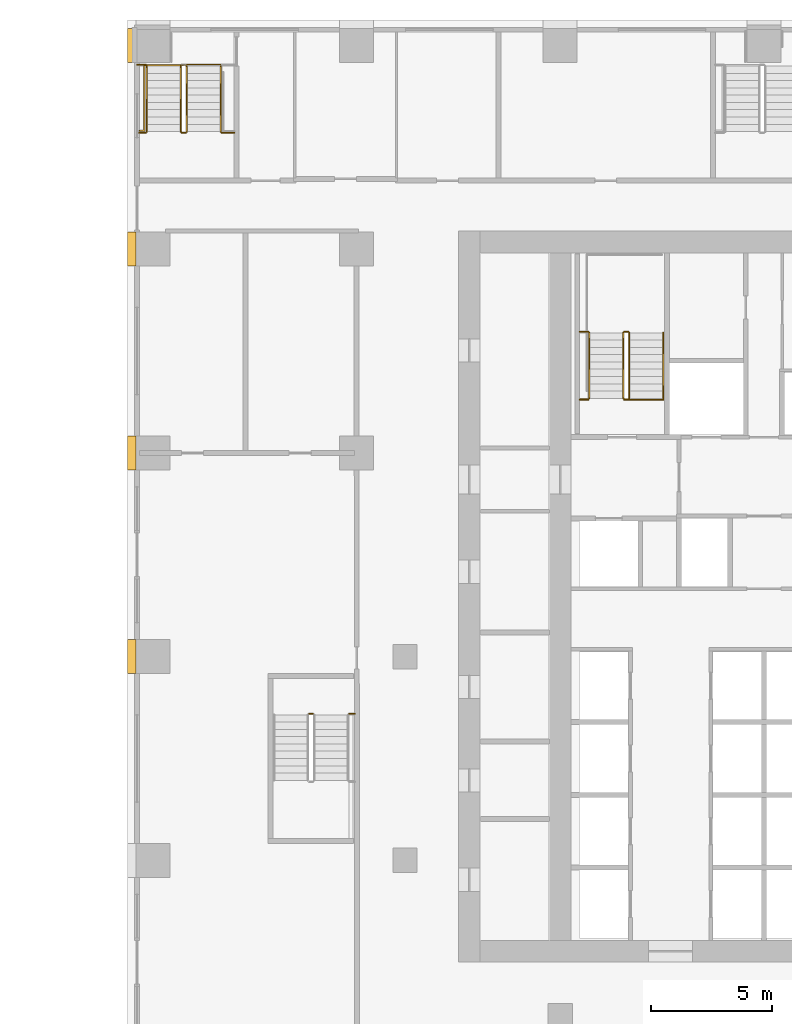
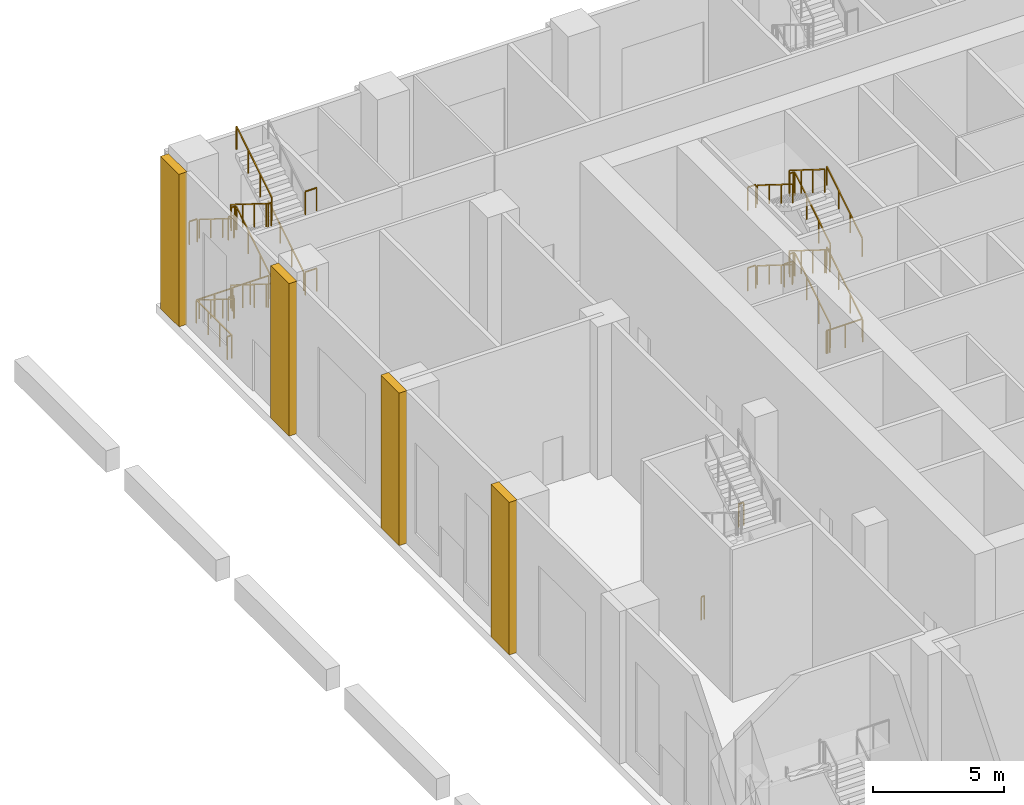
# One storey, part 22 of 29: 28 railings, 4 coverings.
"""IFC4 building model written with IfcOpenShell, lengths in metres."""

from ifc_helpers import new_model, si_unit, direction, frame, origin, origin_2d, place, context, subcontext, project, spatial, polyline, rectangle, outline, extrude, material, type_object, element, save


model = new_model("IFC4")

# Units and contexts
model_context = context("Model", 3, precision=1e-05, world=origin(), true_north=direction((0.0, 1.0)))
body_context = subcontext(model_context, "Body", "Model", "MODEL_VIEW")
ifc_project = project(units=[si_unit("LENGTHUNIT", "METRE"), si_unit("AREAUNIT", "SQUARE_METRE"), si_unit("VOLUMEUNIT", "CUBIC_METRE"), si_unit("PLANEANGLEUNIT", "RADIAN"), si_unit("MASSUNIT", "GRAM", prefix="KILO")], contexts=[model_context])

# Site, building, storey
site_placement = place(None, origin())
site = spatial("IfcSite", under=ifc_project, at=site_placement, CompositionType="ELEMENT")
building_placement = place(site_placement, origin())
building = spatial("IfcBuilding", under=site, at=building_placement, Name="Vermilion Ogive Tower", CompositionType="ELEMENT")
storey_placement = place(building_placement, frame((0.0, 0.0, 12.5)))
storey = spatial("IfcBuildingStorey", under=building, at=storey_placement, Name="L02", CompositionType="ELEMENT", Elevation=12.5)

# Railings
ifc_material_1 = material(Name="Steel S355 painted", Category="steel")
railing_type_1 = type_object("IfcRailingType", Name="Stair guard 1100", PredefinedType="GUARDRAIL", material=ifc_material_1)
railing_1_placement = place(storey_placement, frame((-5.550048828125, 14.85009765625, 0.1875)))
element("IfcRailing", 1, at=railing_1_placement, inside=storey, type_object=railing_type_1, Name="L02 ST1 stair guard 1", PredefinedType="GUARDRAIL", context=body_context, shape_type="SweptSolid", body=[
    extrude(rectangle(XDim=0.048095703125, YDim=0.048095703125, at=origin_2d()), frame((0.0, 0.0, 1.076171875), z_axis=(0.0, 0.847993996163, 0.530005832488), x_axis=(-1.0, 0.0, 0.0)), (0.0, 0.0, 1.0), 3.183837890625),
    extrude(rectangle(XDim=0.048095703125, YDim=0.048095703125, at=origin_2d()), frame((0.0, 2.699951171875, 2.763671875), z_axis=(-0.707106781187, 0.707106781187, 0.0), x_axis=(-0.707106781187, -0.707106781187, 0.0)), (0.0, 0.0, 1.0), 0.07080078125),
    extrude(rectangle(XDim=0.048095703125, YDim=0.048095703125, at=origin_2d()), frame((-0.050048828125, 2.75, 2.763671875), z_axis=(-1.0, 0.0, 0.0), x_axis=(0.0, -1.0, 0.0)), (0.0, 0.0, 1.0), 0.14990234375),
    extrude(rectangle(XDim=0.0419921875, YDim=0.0419921875, at=origin_2d()), origin(), (0.0, 0.0, 1.0), 1.052001953125),
    extrude(rectangle(XDim=0.0419921875, YDim=0.0419921875, at=origin_2d()), frame((0.0, 0.89990234375, 0.5625)), (0.0, 0.0, 1.0), 1.052001953125),
    extrude(rectangle(XDim=0.0419921875, YDim=0.0419921875, at=origin_2d()), frame((0.0, 1.800048828125, 1.125)), (0.0, 0.0, 1.0), 1.052001953125),
    extrude(rectangle(XDim=0.0419921875, YDim=0.0419921875, at=origin_2d()), frame((0.0, 2.699951171875, 1.6875)), (0.0, 0.0, 1.0), 1.052001953125),
    extrude(rectangle(XDim=0.0419921875, YDim=0.0419921875, at=origin_2d()), frame((-0.050048828125, 2.75, 1.6875)), (0.0, 0.0, 1.0), 1.052001953125),
    extrude(rectangle(XDim=0.0419921875, YDim=0.0419921875, at=origin_2d()), frame((-0.199951171875, 2.75, 1.6875)), (0.0, 0.0, 1.0), 1.052001953125),
])
railing_2_placement = place(storey_placement, frame((-5.800048828125, 17.550048828125, 2.0625)))
element("IfcRailing", 2, at=railing_2_placement, inside=storey, type_object=railing_type_1, Name="L02 ST1 stair guard 3", PredefinedType="GUARDRAIL", context=body_context, shape_type="SweptSolid", body=[
    extrude(rectangle(XDim=0.048095703125, YDim=0.048095703125, at=origin_2d()), frame((0.0, 0.0, 1.076171875), z_axis=(0.0, -0.847993996163, 0.530005832488), x_axis=(1.0, 0.0, 0.0)), (0.0, 0.0, 1.0), 3.183837890625),
    extrude(rectangle(XDim=0.048095703125, YDim=0.048095703125, at=origin_2d()), frame((0.0, -2.699951171875, 2.763671875), z_axis=(0.707106781187, -0.707106781187, 0.0), x_axis=(0.707106781187, 0.707106781187, 0.0)), (0.0, 0.0, 1.0), 0.07080078125),
    extrude(rectangle(XDim=0.048095703125, YDim=0.048095703125, at=origin_2d()), frame((0.050048828125, -2.75, 2.763671875), z_axis=(1.0, 0.0, 0.0), x_axis=(0.0, 1.0, 0.0)), (0.0, 0.0, 1.0), 0.14990234375),
    extrude(rectangle(XDim=0.0419921875, YDim=0.0419921875, at=origin_2d()), origin(), (0.0, 0.0, 1.0), 1.052001953125),
    extrude(rectangle(XDim=0.0419921875, YDim=0.0419921875, at=origin_2d()), frame((0.0, -0.89990234375, 0.5625)), (0.0, 0.0, 1.0), 1.052001953125),
    extrude(rectangle(XDim=0.0419921875, YDim=0.0419921875, at=origin_2d()), frame((0.0, -1.800048828125, 1.125)), (0.0, 0.0, 1.0), 1.052001953125),
    extrude(rectangle(XDim=0.0419921875, YDim=0.0419921875, at=origin_2d()), frame((0.0, -2.699951171875, 1.6875)), (0.0, 0.0, 1.0), 1.052001953125),
    extrude(rectangle(XDim=0.0419921875, YDim=0.0419921875, at=origin_2d()), frame((0.050048828125, -2.75, 1.6875)), (0.0, 0.0, 1.0), 1.052001953125),
    extrude(rectangle(XDim=0.0419921875, YDim=0.0419921875, at=origin_2d()), frame((0.199951171875, -2.75, 1.6875)), (0.0, 0.0, 1.0), 1.052001953125),
])
railing_3_placement = place(storey_placement, frame((-5.550048828125, 14.85009765625, 3.9375)))
element("IfcRailing", 3, at=railing_3_placement, inside=storey, type_object=railing_type_1, Name="L02 ST1 stair guard 5", PredefinedType="GUARDRAIL", context=body_context, shape_type="SweptSolid", body=[
    extrude(rectangle(XDim=0.048095703125, YDim=0.048095703125, at=origin_2d()), frame((0.0, 0.0, 1.076171875), z_axis=(0.0, 0.847993996163, 0.530005832488), x_axis=(-1.0, 0.0, 0.0)), (0.0, 0.0, 1.0), 3.183837890625),
    extrude(rectangle(XDim=0.048095703125, YDim=0.048095703125, at=origin_2d()), frame((0.0, 2.699951171875, 2.763671875), z_axis=(-0.707106781187, 0.707106781187, 0.0), x_axis=(-0.707106781187, -0.707106781187, 0.0)), (0.0, 0.0, 1.0), 0.07080078125),
    extrude(rectangle(XDim=0.048095703125, YDim=0.048095703125, at=origin_2d()), frame((-0.050048828125, 2.75, 2.763671875), z_axis=(-1.0, 0.0, 0.0), x_axis=(0.0, -1.0, 0.0)), (0.0, 0.0, 1.0), 0.14990234375),
    extrude(rectangle(XDim=0.0419921875, YDim=0.0419921875, at=origin_2d()), origin(), (0.0, 0.0, 1.0), 1.052001953125),
    extrude(rectangle(XDim=0.0419921875, YDim=0.0419921875, at=origin_2d()), frame((0.0, 0.89990234375, 0.5625)), (0.0, 0.0, 1.0), 1.052001953125),
    extrude(rectangle(XDim=0.0419921875, YDim=0.0419921875, at=origin_2d()), frame((0.0, 1.800048828125, 1.125)), (0.0, 0.0, 1.0), 1.052001953125),
    extrude(rectangle(XDim=0.0419921875, YDim=0.0419921875, at=origin_2d()), frame((0.0, 2.699951171875, 1.6875)), (0.0, 0.0, 1.0), 1.052001953125),
    extrude(rectangle(XDim=0.0419921875, YDim=0.0419921875, at=origin_2d()), frame((-0.050048828125, 2.75, 1.6875)), (0.0, 0.0, 1.0), 1.052001953125),
    extrude(rectangle(XDim=0.0419921875, YDim=0.0419921875, at=origin_2d()), frame((-0.199951171875, 2.75, 1.6875)), (0.0, 0.0, 1.0), 1.052001953125),
])
railing_4_placement = place(storey_placement, frame((-5.800048828125, 17.550048828125, 5.8125)))
element("IfcRailing", 4, at=railing_4_placement, inside=storey, type_object=railing_type_1, Name="L02 ST1 stair guard 7", PredefinedType="GUARDRAIL", context=body_context, shape_type="SweptSolid", body=[
    extrude(rectangle(XDim=0.048095703125, YDim=0.048095703125, at=origin_2d()), frame((0.0, 0.0, 1.076171875), z_axis=(0.0, -0.847993996163, 0.530005832488), x_axis=(1.0, 0.0, 0.0)), (0.0, 0.0, 1.0), 3.183837890625),
    extrude(rectangle(XDim=0.0419921875, YDim=0.0419921875, at=origin_2d()), origin(), (0.0, 0.0, 1.0), 1.052001953125),
    extrude(rectangle(XDim=0.0419921875, YDim=0.0419921875, at=origin_2d()), frame((0.0, -0.89990234375, 0.5625)), (0.0, 0.0, 1.0), 1.052001953125),
    extrude(rectangle(XDim=0.0419921875, YDim=0.0419921875, at=origin_2d()), frame((0.0, -1.800048828125, 1.125)), (0.0, 0.0, 1.0), 1.052001953125),
    extrude(rectangle(XDim=0.0419921875, YDim=0.0419921875, at=origin_2d()), frame((0.0, -2.699951171875, 1.6875)), (0.0, 0.0, 1.0), 1.052001953125),
])
railing_5_placement = place(storey_placement, frame((-5.60009765625, 14.800048828125, 0.0)))
element("IfcRailing", 5, at=railing_5_placement, inside=storey, type_object=railing_type_1, Name="L02 ST1 stair guard 8", PredefinedType="GUARDRAIL", context=body_context, shape_type="SweptSolid", body=[
    extrude(rectangle(XDim=0.048095703125, YDim=0.048095703125, at=origin_2d()), frame((0.0, 0.0, 1.076171875), z_axis=(-1.0, 0.0, 0.0), x_axis=(0.0, -1.0, 0.0)), (0.0, 0.0, 1.0), 0.14990234375),
    extrude(rectangle(XDim=0.0419921875, YDim=0.0419921875, at=origin_2d()), origin(), (0.0, 0.0, 1.0), 1.052001953125),
    extrude(rectangle(XDim=0.0419921875, YDim=0.0419921875, at=origin_2d()), frame((-0.14990234375, 0.0, 0.0)), (0.0, 0.0, 1.0), 1.052001953125),
])
railing_6_placement = place(storey_placement, frame((-18.75, 1.85009765625, 0.0)))
element("IfcRailing", 6, at=railing_6_placement, inside=storey, type_object=railing_type_1, Name="L02 ST9 stair guard 8", PredefinedType="GUARDRAIL", context=body_context, shape_type="SweptSolid", body=[
    extrude(rectangle(XDim=0.048095703125, YDim=0.048095703125, at=origin_2d()), frame((0.0, 0.0, 1.076171875), z_axis=(1.0, 0.0, 0.0), x_axis=(0.0, 1.0, 0.0)), (0.0, 0.0, 1.0), 0.14990234375),
    extrude(rectangle(XDim=0.0419921875, YDim=0.0419921875, at=origin_2d()), origin(), (0.0, 0.0, 1.0), 1.052001953125),
    extrude(rectangle(XDim=0.0419921875, YDim=0.0419921875, at=origin_2d()), frame((0.14990234375, 0.0, 0.0)), (0.0, 0.0, 1.0), 1.052001953125),
])
railing_7_placement = place(storey_placement, frame((-24.050048828125, 28.550048828125, 0.1875)))
element("IfcRailing", 7, at=railing_7_placement, inside=storey, type_object=railing_type_1, Name="L02 PS1 stair guard 1", PredefinedType="GUARDRAIL", context=body_context, shape_type="SweptSolid", body=[
    extrude(rectangle(XDim=0.048095703125, YDim=0.048095703125, at=origin_2d()), frame((0.0, 0.0, 1.076171875), z_axis=(0.0, -0.847993996163, 0.530005832488), x_axis=(1.0, 0.0, 0.0)), (0.0, 0.0, 1.0), 3.183837890625),
    extrude(rectangle(XDim=0.048095703125, YDim=0.048095703125, at=origin_2d()), frame((0.0, -2.699951171875, 2.763671875), z_axis=(0.707106781187, -0.707106781187, 0.0), x_axis=(0.707106781187, 0.707106781187, 0.0)), (0.0, 0.0, 1.0), 0.07080078125),
    extrude(rectangle(XDim=0.048095703125, YDim=0.048095703125, at=origin_2d()), frame((0.050048828125, -2.75, 2.763671875), z_axis=(1.0, 0.0, 0.0), x_axis=(0.0, 1.0, 0.0)), (0.0, 0.0, 1.0), 0.14990234375),
    extrude(rectangle(XDim=0.0419921875, YDim=0.0419921875, at=origin_2d()), origin(), (0.0, 0.0, 1.0), 1.052001953125),
    extrude(rectangle(XDim=0.0419921875, YDim=0.0419921875, at=origin_2d()), frame((0.0, -0.89990234375, 0.5625)), (0.0, 0.0, 1.0), 1.052001953125),
    extrude(rectangle(XDim=0.0419921875, YDim=0.0419921875, at=origin_2d()), frame((0.0, -1.800048828125, 1.125)), (0.0, 0.0, 1.0), 1.052001953125),
    extrude(rectangle(XDim=0.0419921875, YDim=0.0419921875, at=origin_2d()), frame((0.0, -2.699951171875, 1.6875)), (0.0, 0.0, 1.0), 1.052001953125),
    extrude(rectangle(XDim=0.0419921875, YDim=0.0419921875, at=origin_2d()), frame((0.050048828125, -2.75, 1.6875)), (0.0, 0.0, 1.0), 1.052001953125),
    extrude(rectangle(XDim=0.0419921875, YDim=0.0419921875, at=origin_2d()), frame((0.199951171875, -2.75, 1.6875)), (0.0, 0.0, 1.0), 1.052001953125),
])
railing_8_placement = place(storey_placement, frame((-23.800048828125, 25.85009765625, 2.0625)))
element("IfcRailing", 8, at=railing_8_placement, inside=storey, type_object=railing_type_1, Name="L02 PS1 stair guard 3", PredefinedType="GUARDRAIL", context=body_context, shape_type="SweptSolid", body=[
    extrude(rectangle(XDim=0.048095703125, YDim=0.048095703125, at=origin_2d()), frame((0.0, 0.0, 1.076171875), z_axis=(0.0, 0.847993996163, 0.530005832488), x_axis=(-1.0, 0.0, 0.0)), (0.0, 0.0, 1.0), 3.183837890625),
    extrude(rectangle(XDim=0.048095703125, YDim=0.048095703125, at=origin_2d()), frame((0.0, 2.699951171875, 2.763671875), z_axis=(-0.707106781187, 0.707106781187, 0.0), x_axis=(-0.707106781187, -0.707106781187, 0.0)), (0.0, 0.0, 1.0), 0.07080078125),
    extrude(rectangle(XDim=0.048095703125, YDim=0.048095703125, at=origin_2d()), frame((-0.050048828125, 2.75, 2.763671875), z_axis=(-1.0, 0.0, 0.0), x_axis=(0.0, -1.0, 0.0)), (0.0, 0.0, 1.0), 0.14990234375),
    extrude(rectangle(XDim=0.0419921875, YDim=0.0419921875, at=origin_2d()), origin(), (0.0, 0.0, 1.0), 1.052001953125),
    extrude(rectangle(XDim=0.0419921875, YDim=0.0419921875, at=origin_2d()), frame((0.0, 0.89990234375, 0.5625)), (0.0, 0.0, 1.0), 1.052001953125),
    extrude(rectangle(XDim=0.0419921875, YDim=0.0419921875, at=origin_2d()), frame((0.0, 1.800048828125, 1.125)), (0.0, 0.0, 1.0), 1.052001953125),
    extrude(rectangle(XDim=0.0419921875, YDim=0.0419921875, at=origin_2d()), frame((0.0, 2.699951171875, 1.6875)), (0.0, 0.0, 1.0), 1.052001953125),
    extrude(rectangle(XDim=0.0419921875, YDim=0.0419921875, at=origin_2d()), frame((-0.050048828125, 2.75, 1.6875)), (0.0, 0.0, 1.0), 1.052001953125),
    extrude(rectangle(XDim=0.0419921875, YDim=0.0419921875, at=origin_2d()), frame((-0.199951171875, 2.75, 1.6875)), (0.0, 0.0, 1.0), 1.052001953125),
])
railing_9_placement = place(storey_placement, frame((-24.050048828125, 28.550048828125, 3.9375)))
element("IfcRailing", 9, at=railing_9_placement, inside=storey, type_object=railing_type_1, Name="L02 PS1 stair guard 5", PredefinedType="GUARDRAIL", context=body_context, shape_type="SweptSolid", body=[
    extrude(rectangle(XDim=0.048095703125, YDim=0.048095703125, at=origin_2d()), frame((0.0, 0.0, 1.076171875), z_axis=(0.0, -0.847993996163, 0.530005832488), x_axis=(1.0, 0.0, 0.0)), (0.0, 0.0, 1.0), 3.183837890625),
    extrude(rectangle(XDim=0.048095703125, YDim=0.048095703125, at=origin_2d()), frame((0.0, -2.699951171875, 2.763671875), z_axis=(0.707106781187, -0.707106781187, 0.0), x_axis=(0.707106781187, 0.707106781187, 0.0)), (0.0, 0.0, 1.0), 0.07080078125),
    extrude(rectangle(XDim=0.048095703125, YDim=0.048095703125, at=origin_2d()), frame((0.050048828125, -2.75, 2.763671875), z_axis=(1.0, 0.0, 0.0), x_axis=(0.0, 1.0, 0.0)), (0.0, 0.0, 1.0), 0.14990234375),
    extrude(rectangle(XDim=0.0419921875, YDim=0.0419921875, at=origin_2d()), origin(), (0.0, 0.0, 1.0), 1.052001953125),
    extrude(rectangle(XDim=0.0419921875, YDim=0.0419921875, at=origin_2d()), frame((0.0, -0.89990234375, 0.5625)), (0.0, 0.0, 1.0), 1.052001953125),
    extrude(rectangle(XDim=0.0419921875, YDim=0.0419921875, at=origin_2d()), frame((0.0, -1.800048828125, 1.125)), (0.0, 0.0, 1.0), 1.052001953125),
    extrude(rectangle(XDim=0.0419921875, YDim=0.0419921875, at=origin_2d()), frame((0.0, -2.699951171875, 1.6875)), (0.0, 0.0, 1.0), 1.052001953125),
    extrude(rectangle(XDim=0.0419921875, YDim=0.0419921875, at=origin_2d()), frame((0.050048828125, -2.75, 1.6875)), (0.0, 0.0, 1.0), 1.052001953125),
    extrude(rectangle(XDim=0.0419921875, YDim=0.0419921875, at=origin_2d()), frame((0.199951171875, -2.75, 1.6875)), (0.0, 0.0, 1.0), 1.052001953125),
])
railing_10_placement = place(storey_placement, frame((-23.800048828125, 25.85009765625, 5.8125)))
element("IfcRailing", 10, at=railing_10_placement, inside=storey, type_object=railing_type_1, Name="L02 PS1 stair guard 7", PredefinedType="GUARDRAIL", context=body_context, shape_type="SweptSolid", body=[
    extrude(rectangle(XDim=0.048095703125, YDim=0.048095703125, at=origin_2d()), frame((0.0, 0.0, 1.076171875), z_axis=(0.0, 0.847993996163, 0.530005832488), x_axis=(-1.0, 0.0, 0.0)), (0.0, 0.0, 1.0), 3.183837890625),
    extrude(rectangle(XDim=0.0419921875, YDim=0.0419921875, at=origin_2d()), origin(), (0.0, 0.0, 1.0), 1.052001953125),
    extrude(rectangle(XDim=0.0419921875, YDim=0.0419921875, at=origin_2d()), frame((0.0, 0.89990234375, 0.5625)), (0.0, 0.0, 1.0), 1.052001953125),
    extrude(rectangle(XDim=0.0419921875, YDim=0.0419921875, at=origin_2d()), frame((0.0, 1.800048828125, 1.125)), (0.0, 0.0, 1.0), 1.052001953125),
    extrude(rectangle(XDim=0.0419921875, YDim=0.0419921875, at=origin_2d()), frame((0.0, 2.699951171875, 1.6875)), (0.0, 0.0, 1.0), 1.052001953125),
])
for number, where, name in (
    (11, (-7.60009765625, 17.60009765625, 1.875), "L02 landing guard"),
    (12, (-7.60009765625, 14.800048828125, 3.75), "L02 landing guard"),
    (13, (-7.60009765625, 17.60009765625, 5.625), "L02 landing guard"),
):
    element("IfcRailing", number, at=place(storey_placement, frame(where)), inside=storey, type_object=railing_type_1, Name=name, PredefinedType="GUARDRAIL", context=body_context, shape_type="SweptSolid", body=[
        extrude(rectangle(XDim=0.048095703125, YDim=0.048095703125, at=origin_2d()), frame((0.0, 0.0, 1.076171875), z_axis=(1.0, 0.0, 0.0), x_axis=(0.0, 1.0, 0.0)), (0.0, 0.0, 1.0), 0.35009765625),
        extrude(rectangle(XDim=0.0419921875, YDim=0.0419921875, at=origin_2d()), origin(), (0.0, 0.0, 1.0), 1.052001953125),
        extrude(rectangle(XDim=0.0419921875, YDim=0.0419921875, at=origin_2d()), frame((0.35009765625, 0.0, 0.0)), (0.0, 0.0, 1.0), 1.052001953125),
    ])
railing_11_placement = place(storey_placement, frame((-17.10009765625, 1.85009765625, 3.75)))
element("IfcRailing", 14, at=railing_11_placement, inside=storey, type_object=railing_type_1, Name="L02 landing guard", PredefinedType="GUARDRAIL", context=body_context, shape_type="SweptSolid", body=[
    extrude(rectangle(XDim=0.048095703125, YDim=0.048095703125, at=origin_2d()), frame((0.0, 0.0, 1.076171875), z_axis=(1.0, 0.0, 0.0), x_axis=(0.0, 1.0, 0.0)), (0.0, 0.0, 1.0), 0.22509765625),
    extrude(rectangle(XDim=0.0419921875, YDim=0.0419921875, at=origin_2d()), origin(), (0.0, 0.0, 1.0), 1.052001953125),
    extrude(rectangle(XDim=0.0419921875, YDim=0.0419921875, at=origin_2d()), frame((0.22509765625, 0.0, 0.0)), (0.0, 0.0, 1.0), 1.052001953125),
])
railing_12_placement = place(storey_placement, frame((-25.75, 25.800048828125, 1.875)))
element("IfcRailing", 15, at=railing_12_placement, inside=storey, type_object=railing_type_1, Name="L02 landing guard", PredefinedType="GUARDRAIL", context=body_context, shape_type="SweptSolid", body=[
    extrude(rectangle(XDim=0.048095703125, YDim=0.048095703125, at=origin_2d()), frame((0.0, 0.0, 1.076171875), z_axis=(1.0, 0.0, 0.0), x_axis=(0.0, 1.0, 0.0)), (0.0, 0.0, 1.0), 0.25),
    extrude(rectangle(XDim=0.0419921875, YDim=0.0419921875, at=origin_2d()), origin(), (0.0, 0.0, 1.0), 1.052001953125),
    extrude(rectangle(XDim=0.0419921875, YDim=0.0419921875, at=origin_2d()), frame((0.25, 0.0, 0.0)), (0.0, 0.0, 1.0), 1.052001953125),
])
railing_13_placement = place(storey_placement, frame((-22.35009765625, 25.800048828125, 1.875)))
element("IfcRailing", 16, at=railing_13_placement, inside=storey, type_object=railing_type_1, Name="L02 landing guard", PredefinedType="GUARDRAIL", context=body_context, shape_type="SweptSolid", body=[
    extrude(rectangle(XDim=0.048095703125, YDim=0.048095703125, at=origin_2d()), frame((0.0, 0.0, 1.076171875), z_axis=(1.0, 0.0, 0.0), x_axis=(0.0, 1.0, 0.0)), (0.0, 0.0, 1.0), 0.5),
    extrude(rectangle(XDim=0.0419921875, YDim=0.0419921875, at=origin_2d()), origin(), (0.0, 0.0, 1.0), 1.052001953125),
    extrude(rectangle(XDim=0.0419921875, YDim=0.0419921875, at=origin_2d()), frame((0.5, 0.0, 0.0)), (0.0, 0.0, 1.0), 1.052001953125),
])
railing_14_placement = place(storey_placement, frame((-25.85009765625, 28.60009765625, 3.75)))
element("IfcRailing", 17, at=railing_14_placement, inside=storey, type_object=railing_type_1, Name="L02 landing guard", PredefinedType="GUARDRAIL", context=body_context, shape_type="SweptSolid", body=[
    extrude(rectangle(XDim=0.048095703125, YDim=0.048095703125, at=origin_2d()), frame((0.0, 0.0, 1.076171875), z_axis=(1.0, 0.0, 0.0), x_axis=(0.0, 1.0, 0.0)), (0.0, 0.0, 1.0), 0.35009765625),
    extrude(rectangle(XDim=0.0419921875, YDim=0.0419921875, at=origin_2d()), origin(), (0.0, 0.0, 1.0), 1.052001953125),
    extrude(rectangle(XDim=0.0419921875, YDim=0.0419921875, at=origin_2d()), frame((0.35009765625, 0.0, 0.0)), (0.0, 0.0, 1.0), 1.052001953125),
])
railing_15_placement = place(storey_placement, frame((-25.75, 25.800048828125, 5.625)))
element("IfcRailing", 18, at=railing_15_placement, inside=storey, type_object=railing_type_1, Name="L02 landing guard", PredefinedType="GUARDRAIL", context=body_context, shape_type="SweptSolid", body=[
    extrude(rectangle(XDim=0.048095703125, YDim=0.048095703125, at=origin_2d()), frame((0.0, 0.0, 1.076171875), z_axis=(1.0, 0.0, 0.0), x_axis=(0.0, 1.0, 0.0)), (0.0, 0.0, 1.0), 0.25),
    extrude(rectangle(XDim=0.0419921875, YDim=0.0419921875, at=origin_2d()), origin(), (0.0, 0.0, 1.0), 1.052001953125),
    extrude(rectangle(XDim=0.0419921875, YDim=0.0419921875, at=origin_2d()), frame((0.25, 0.0, 0.0)), (0.0, 0.0, 1.0), 1.052001953125),
])
railing_16_placement = place(storey_placement, frame((-22.35009765625, 25.800048828125, 5.625)))
element("IfcRailing", 19, at=railing_16_placement, inside=storey, type_object=railing_type_1, Name="L02 landing guard", PredefinedType="GUARDRAIL", context=body_context, shape_type="SweptSolid", body=[
    extrude(rectangle(XDim=0.048095703125, YDim=0.048095703125, at=origin_2d()), frame((0.0, 0.0, 1.076171875), z_axis=(1.0, 0.0, 0.0), x_axis=(0.0, 1.0, 0.0)), (0.0, 0.0, 1.0), 0.5),
    extrude(rectangle(XDim=0.0419921875, YDim=0.0419921875, at=origin_2d()), origin(), (0.0, 0.0, 1.0), 1.052001953125),
    extrude(rectangle(XDim=0.0419921875, YDim=0.0419921875, at=origin_2d()), frame((0.5, 0.0, 0.0)), (0.0, 0.0, 1.0), 1.052001953125),
])
railing_17_placement = place(storey_placement, frame((-5.699951171875, 14.7900390625, 0.0)))
element("IfcRailing", 20, at=railing_17_placement, inside=storey, type_object=railing_type_1, Name="L02 stair opening guard", PredefinedType="GUARDRAIL", context=body_context, shape_type="SweptSolid", body=[
    extrude(rectangle(XDim=0.048095703125, YDim=0.048095703125, at=origin_2d()), frame((0.0, 0.0, 1.076171875), z_axis=(1.0, 0.0, 0.0), x_axis=(0.0, 1.0, 0.0)), (0.0, 0.0, 1.0), 1.5400390625),
    extrude(rectangle(XDim=0.0419921875, YDim=0.0419921875, at=origin_2d()), origin(), (0.0, 0.0, 1.0), 1.052001953125),
    extrude(rectangle(XDim=0.0419921875, YDim=0.0419921875, at=origin_2d()), frame((0.77001953125, 0.0, 0.0)), (0.0, 0.0, 1.0), 1.052001953125),
    extrude(rectangle(XDim=0.0419921875, YDim=0.0419921875, at=origin_2d()), frame((1.5400390625, 0.0, 0.0)), (0.0, 0.0, 1.0), 1.052001953125),
])
railing_18_placement = place(storey_placement, frame((-25.739990234375, 25.88330078125, 0.0)))
element("IfcRailing", 21, at=railing_18_placement, inside=storey, type_object=railing_type_1, Name="L02 stair opening guard", PredefinedType="GUARDRAIL", context=body_context, shape_type="SweptSolid", body=[
    extrude(rectangle(XDim=0.048095703125, YDim=0.048095703125, at=origin_2d()), frame((0.0, 0.0, 1.076171875), z_axis=(1.0, 0.0, 0.0), x_axis=(0.0, 1.0, 0.0)), (0.0, 0.0, 1.0), 0.18994140625),
    extrude(rectangle(XDim=0.048095703125, YDim=0.048095703125, at=origin_2d()), frame((0.18994140625, 0.0, 1.076171875), z_axis=(0.0, 1.0, 0.0), x_axis=(-1.0, 0.0, 0.0)), (0.0, 0.0, 1.0), 2.699951171875),
    extrude(rectangle(XDim=0.048095703125, YDim=0.048095703125, at=origin_2d()), frame((0.18994140625, 2.699951171875, 1.076171875), z_axis=(1.0, 0.0, 0.0), x_axis=(0.0, 1.0, 0.0)), (0.0, 0.0, 1.0), 1.60009765625),
    extrude(rectangle(XDim=0.048095703125, YDim=0.048095703125, at=origin_2d()), frame((1.7900390625, 2.699951171875, 1.076171875), z_axis=(0.0, 1.0, 0.0), x_axis=(-1.0, 0.0, 0.0)), (0.0, 0.0, 1.0), 0.02685546875),
    extrude(rectangle(XDim=0.048095703125, YDim=0.048095703125, at=origin_2d()), frame((1.7900390625, 2.726806640625, 1.076171875), z_axis=(1.0, 0.0, 0.0), x_axis=(0.0, 1.0, 0.0)), (0.0, 0.0, 1.0), 1.599853515625),
    extrude(rectangle(XDim=0.0419921875, YDim=0.0419921875, at=origin_2d()), origin(), (0.0, 0.0, 1.0), 1.052001953125),
    extrude(rectangle(XDim=0.0419921875, YDim=0.0419921875, at=origin_2d()), frame((0.18994140625, 0.0, 0.0)), (0.0, 0.0, 1.0), 1.052001953125),
    extrude(rectangle(XDim=0.0419921875, YDim=0.0419921875, at=origin_2d()), frame((0.18994140625, 0.89990234375, 0.0)), (0.0, 0.0, 1.0), 1.052001953125),
    extrude(rectangle(XDim=0.0419921875, YDim=0.0419921875, at=origin_2d()), frame((0.18994140625, 1.800048828125, 0.0)), (0.0, 0.0, 1.0), 1.052001953125),
    extrude(rectangle(XDim=0.0419921875, YDim=0.0419921875, at=origin_2d()), frame((0.18994140625, 2.699951171875, 0.0)), (0.0, 0.0, 1.0), 1.052001953125),
    extrude(rectangle(XDim=0.0419921875, YDim=0.0419921875, at=origin_2d()), frame((0.989990234375, 2.699951171875, 0.0)), (0.0, 0.0, 1.0), 1.052001953125),
    extrude(rectangle(XDim=0.0419921875, YDim=0.0419921875, at=origin_2d()), frame((1.7900390625, 2.699951171875, 0.0)), (0.0, 0.0, 1.0), 1.052001953125),
    extrude(rectangle(XDim=0.0419921875, YDim=0.0419921875, at=origin_2d()), frame((1.7900390625, 2.726806640625, 0.0)), (0.0, 0.0, 1.0), 1.052001953125),
    extrude(rectangle(XDim=0.0419921875, YDim=0.0419921875, at=origin_2d()), frame((2.58984375, 2.726806640625, 0.0)), (0.0, 0.0, 1.0), 1.052001953125),
    extrude(rectangle(XDim=0.0419921875, YDim=0.0419921875, at=origin_2d()), frame((3.389892578125, 2.726806640625, 0.0)), (0.0, 0.0, 1.0), 1.052001953125),
])
ifc_material_2 = material(Name="Stainless steel", Category="steel")
railing_type_2 = type_object("IfcRailingType", Name="Stair handrail 900", PredefinedType="HANDRAIL", material=ifc_material_2)
railing_19_placement = place(storey_placement, frame((-4.14990234375, 14.85009765625, 0.1875)))
element("IfcRailing", 22, at=railing_19_placement, inside=storey, type_object=railing_type_2, Name="L02 ST1 stair handrail 1", PredefinedType="HANDRAIL", context=body_context, shape_type="SweptSolid", body=[
    extrude(rectangle(XDim=0.048095703125, YDim=0.048095703125, at=origin_2d()), frame((0.0, 0.0, 0.8759765625), z_axis=(0.0, 0.847993996163, 0.530005832488), x_axis=(-1.0, 0.0, 0.0)), (0.0, 0.0, 1.0), 3.183837890625),
    extrude(rectangle(XDim=0.0419921875, YDim=0.0419921875, at=origin_2d()), origin(), (0.0, 0.0, 1.0), 0.851806640625),
    extrude(rectangle(XDim=0.0419921875, YDim=0.0419921875, at=origin_2d()), frame((0.0, 0.89990234375, 0.5625)), (0.0, 0.0, 1.0), 0.851806640625),
    extrude(rectangle(XDim=0.0419921875, YDim=0.0419921875, at=origin_2d()), frame((0.0, 1.800048828125, 1.125)), (0.0, 0.0, 1.0), 0.851806640625),
    extrude(rectangle(XDim=0.0419921875, YDim=0.0419921875, at=origin_2d()), frame((0.0, 2.699951171875, 1.6875)), (0.0, 0.0, 1.0), 0.851806640625),
])
railing_20_placement = place(storey_placement, frame((-7.199951171875, 17.550048828125, 2.0625)))
element("IfcRailing", 23, at=railing_20_placement, inside=storey, type_object=railing_type_2, Name="L02 ST1 stair handrail 2", PredefinedType="HANDRAIL", context=body_context, shape_type="SweptSolid", body=[
    extrude(rectangle(XDim=0.048095703125, YDim=0.048095703125, at=origin_2d()), frame((0.0, 0.0, 0.8759765625), z_axis=(0.0, -0.847993996163, 0.530005832488), x_axis=(1.0, 0.0, 0.0)), (0.0, 0.0, 1.0), 3.183837890625),
    extrude(rectangle(XDim=0.0419921875, YDim=0.0419921875, at=origin_2d()), origin(), (0.0, 0.0, 1.0), 0.851806640625),
    extrude(rectangle(XDim=0.0419921875, YDim=0.0419921875, at=origin_2d()), frame((0.0, -0.89990234375, 0.5625)), (0.0, 0.0, 1.0), 0.851806640625),
    extrude(rectangle(XDim=0.0419921875, YDim=0.0419921875, at=origin_2d()), frame((0.0, -1.800048828125, 1.125)), (0.0, 0.0, 1.0), 0.851806640625),
    extrude(rectangle(XDim=0.0419921875, YDim=0.0419921875, at=origin_2d()), frame((0.0, -2.699951171875, 1.6875)), (0.0, 0.0, 1.0), 0.851806640625),
])
railing_21_placement = place(storey_placement, frame((-4.14990234375, 14.85009765625, 3.9375)))
element("IfcRailing", 24, at=railing_21_placement, inside=storey, type_object=railing_type_2, Name="L02 ST1 stair handrail 3", PredefinedType="HANDRAIL", context=body_context, shape_type="SweptSolid", body=[
    extrude(rectangle(XDim=0.048095703125, YDim=0.048095703125, at=origin_2d()), frame((0.0, 0.0, 0.8759765625), z_axis=(0.0, 0.847993996163, 0.530005832488), x_axis=(-1.0, 0.0, 0.0)), (0.0, 0.0, 1.0), 3.183837890625),
    extrude(rectangle(XDim=0.0419921875, YDim=0.0419921875, at=origin_2d()), origin(), (0.0, 0.0, 1.0), 0.851806640625),
    extrude(rectangle(XDim=0.0419921875, YDim=0.0419921875, at=origin_2d()), frame((0.0, 0.89990234375, 0.5625)), (0.0, 0.0, 1.0), 0.851806640625),
    extrude(rectangle(XDim=0.0419921875, YDim=0.0419921875, at=origin_2d()), frame((0.0, 1.800048828125, 1.125)), (0.0, 0.0, 1.0), 0.851806640625),
    extrude(rectangle(XDim=0.0419921875, YDim=0.0419921875, at=origin_2d()), frame((0.0, 2.699951171875, 1.6875)), (0.0, 0.0, 1.0), 0.851806640625),
])
for number, where, name in (
    (25, (-7.199951171875, 17.550048828125, 5.8125), "L02 ST1 stair handrail 4"),
    (26, (-25.449951171875, 28.550048828125, 0.1875), "L02 PS1 stair handrail 1"),
):
    element("IfcRailing", number, at=place(storey_placement, frame(where)), inside=storey, type_object=railing_type_2, Name=name, PredefinedType="HANDRAIL", context=body_context, shape_type="SweptSolid", body=[
        extrude(rectangle(XDim=0.048095703125, YDim=0.048095703125, at=origin_2d()), frame((0.0, 0.0, 0.8759765625), z_axis=(0.0, -0.847993996163, 0.530005832488), x_axis=(1.0, 0.0, 0.0)), (0.0, 0.0, 1.0), 3.183837890625),
        extrude(rectangle(XDim=0.0419921875, YDim=0.0419921875, at=origin_2d()), origin(), (0.0, 0.0, 1.0), 0.851806640625),
        extrude(rectangle(XDim=0.0419921875, YDim=0.0419921875, at=origin_2d()), frame((0.0, -0.89990234375, 0.5625)), (0.0, 0.0, 1.0), 0.851806640625),
        extrude(rectangle(XDim=0.0419921875, YDim=0.0419921875, at=origin_2d()), frame((0.0, -1.800048828125, 1.125)), (0.0, 0.0, 1.0), 0.851806640625),
        extrude(rectangle(XDim=0.0419921875, YDim=0.0419921875, at=origin_2d()), frame((0.0, -2.699951171875, 1.6875)), (0.0, 0.0, 1.0), 0.851806640625),
    ])
railing_22_placement = place(storey_placement, frame((-22.39990234375, 25.85009765625, 2.0625)))
element("IfcRailing", 27, at=railing_22_placement, inside=storey, type_object=railing_type_2, Name="L02 PS1 stair handrail 2", PredefinedType="HANDRAIL", context=body_context, shape_type="SweptSolid", body=[
    extrude(rectangle(XDim=0.048095703125, YDim=0.048095703125, at=origin_2d()), frame((0.0, 0.0, 0.8759765625), z_axis=(0.0, 0.847993996163, 0.530005832488), x_axis=(-1.0, 0.0, 0.0)), (0.0, 0.0, 1.0), 3.183837890625),
    extrude(rectangle(XDim=0.0419921875, YDim=0.0419921875, at=origin_2d()), origin(), (0.0, 0.0, 1.0), 0.851806640625),
    extrude(rectangle(XDim=0.0419921875, YDim=0.0419921875, at=origin_2d()), frame((0.0, 0.89990234375, 0.5625)), (0.0, 0.0, 1.0), 0.851806640625),
    extrude(rectangle(XDim=0.0419921875, YDim=0.0419921875, at=origin_2d()), frame((0.0, 1.800048828125, 1.125)), (0.0, 0.0, 1.0), 0.851806640625),
    extrude(rectangle(XDim=0.0419921875, YDim=0.0419921875, at=origin_2d()), frame((0.0, 2.699951171875, 1.6875)), (0.0, 0.0, 1.0), 0.851806640625),
])
railing_23_placement = place(storey_placement, frame((-25.449951171875, 28.550048828125, 3.9375)))
element("IfcRailing", 28, at=railing_23_placement, inside=storey, type_object=railing_type_2, Name="L02 PS1 stair handrail 3", PredefinedType="HANDRAIL", context=body_context, shape_type="SweptSolid", body=[
    extrude(rectangle(XDim=0.048095703125, YDim=0.048095703125, at=origin_2d()), frame((0.0, 0.0, 0.8759765625), z_axis=(0.0, -0.847993996163, 0.530005832488), x_axis=(1.0, 0.0, 0.0)), (0.0, 0.0, 1.0), 3.183837890625),
    extrude(rectangle(XDim=0.0419921875, YDim=0.0419921875, at=origin_2d()), origin(), (0.0, 0.0, 1.0), 0.851806640625),
    extrude(rectangle(XDim=0.0419921875, YDim=0.0419921875, at=origin_2d()), frame((0.0, -0.89990234375, 0.5625)), (0.0, 0.0, 1.0), 0.851806640625),
    extrude(rectangle(XDim=0.0419921875, YDim=0.0419921875, at=origin_2d()), frame((0.0, -1.800048828125, 1.125)), (0.0, 0.0, 1.0), 0.851806640625),
    extrude(rectangle(XDim=0.0419921875, YDim=0.0419921875, at=origin_2d()), frame((0.0, -2.699951171875, 1.6875)), (0.0, 0.0, 1.0), 0.851806640625),
])

# Coverings
ifc_material_3 = material(Name="Stone cladding", Category="masonry")
covering_type = type_object("IfcCoveringType", Name="Stone pier", PredefinedType="CLADDING", material=ifc_material_3)
covering_1_placement = place(storey_placement, origin())
element("IfcCovering", 29, at=covering_1_placement, inside=storey, type_object=covering_type, Name="Stone pier P-252+042", PredefinedType="CLADDING", context=body_context, shape_type="SweptSolid", body=[
    extrude(outline(polyline([(-26.25, 3.5), (-26.25, 4.89990234375), (-25.89990234375, 4.89990234375), (-25.89990234375, 3.5), (-26.25, 3.5)])), origin(), (0.0, 0.0, 1.0), 7.10009765625),
])
covering_2_placement = place(storey_placement, origin())
element("IfcCovering", 30, at=covering_2_placement, inside=storey, type_object=covering_type, Name="Stone pier P-252+126", PredefinedType="CLADDING", context=body_context, shape_type="SweptSolid", body=[
    extrude(outline(polyline([(-25.89990234375, 11.89990234375), (-26.25, 11.89990234375), (-26.25, 13.300048828125), (-25.89990234375, 13.300048828125), (-25.89990234375, 13.300048828125), (-25.89990234375, 11.89990234375)])), origin(), (0.0, 0.0, 1.0), 7.10009765625),
])
covering_3_placement = place(storey_placement, origin())
element("IfcCovering", 31, at=covering_3_placement, inside=storey, type_object=covering_type, Name="Stone pier P-252+210", PredefinedType="CLADDING", context=body_context, shape_type="SweptSolid", body=[
    extrude(outline(polyline([(-26.25, 20.300048828125), (-26.25, 21.699951171875), (-25.89990234375, 21.699951171875), (-25.89990234375, 20.300048828125), (-26.25, 20.300048828125)])), origin(), (0.0, 0.0, 1.0), 7.10009765625),
])
covering_4_placement = place(storey_placement, origin())
element("IfcCovering", 32, at=covering_4_placement, inside=storey, type_object=covering_type, Name="Stone pier P-252+294W", PredefinedType="CLADDING", context=body_context, shape_type="SweptSolid", body=[
    extrude(outline(polyline([(-26.25, 30.10009765625), (-25.89990234375, 30.10009765625), (-25.89990234375, 28.699951171875), (-26.25, 28.699951171875), (-26.25, 30.10009765625)])), origin(), (0.0, 0.0, 1.0), 7.10009765625),
])

save(model, "model.ifc")
